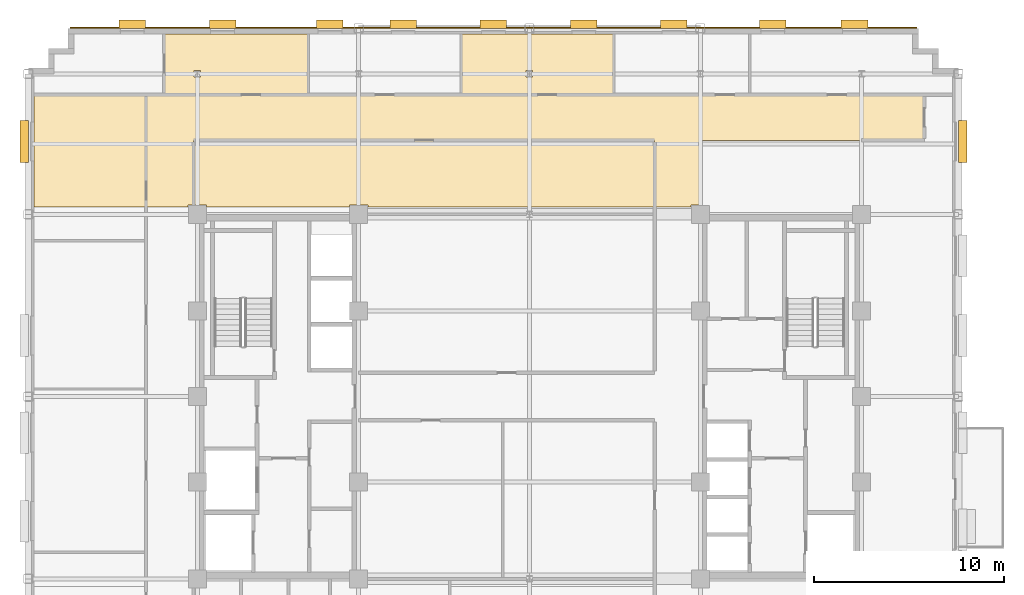
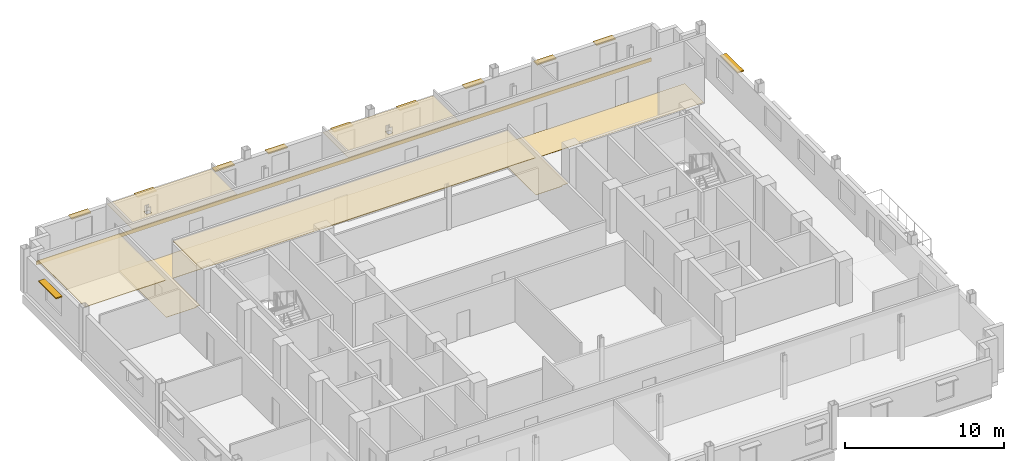
# One storey, part 15 of 15: 11 shading devices, 6 coverings.
"""IFC4 building model written with IfcOpenShell, lengths in metres."""

from ifc_helpers import new_model, si_unit, direction, frame, origin, origin_2d, place, context, subcontext, project, spatial, polyline, rectangle, outline, extrude, source, transform, mapped, material, layer, layer_set, type_object, type_shapes, element, save


model = new_model("IFC4")

# Units and contexts
model_context = context("Model", 3, precision=1e-05, world=origin(), true_north=direction((0.0, 1.0)))
body_context = subcontext(model_context, "Body", "Model", "MODEL_VIEW")
ifc_project = project(units=[si_unit("LENGTHUNIT", "METRE"), si_unit("AREAUNIT", "SQUARE_METRE"), si_unit("VOLUMEUNIT", "CUBIC_METRE"), si_unit("PLANEANGLEUNIT", "RADIAN"), si_unit("MASSUNIT", "GRAM", prefix="KILO")], contexts=[model_context])

# Site, building, storey
site_placement = place(None, origin())
site = spatial("IfcSite", under=ifc_project, at=site_placement, CompositionType="ELEMENT")
building_placement = place(site_placement, origin())
building = spatial("IfcBuilding", under=site, at=building_placement, Name="Nuvemarco Arch Tower", CompositionType="ELEMENT")
storey_placement = place(building_placement, frame((0.0, 0.0, 201.85009765625)))
storey = spatial("IfcBuildingStorey", under=building, at=storey_placement, Name="L53", CompositionType="ELEMENT", Elevation=201.85009765625)

# Coverings
ifc_material_1 = material(Name="Mineral acoustic ceiling tile")
ifc_layer_1 = layer(ifc_material_1, 0.0400390625, Name="COV-ACOUSTIC-CLG")
ifc_layer_set_1 = layer_set([ifc_layer_1], Name="Mineral acoustic ceiling tile")
covering_type_1 = type_object("IfcCoveringType", Name="COV-ACOUSTIC-CLG", PredefinedType="CEILING", material=ifc_layer_set_1)
covering_1_placement = place(storey_placement, frame((0.0, 0.0, 2.849853515625)))
element("IfcCovering", 1, at=covering_1_placement, inside=storey, type_object=covering_type_1, Name="L53 suspended acoustic ceiling 4", PredefinedType="CEILING", context=body_context, shape_type="SweptSolid", body=[
    extrude(outline(polyline([(6.60009765625, 13.5), (6.60009765625, 10.0), (-8.510009765625, 10.0), (-8.510009765625, 10.090087890625), (-9.489990234375, 10.090087890625), (-9.489990234375, 10.0), (-17.010009765625, 10.0), (-17.010009765625, 10.090087890625), (-17.699951171875, 10.090087890625), (-17.699951171875, 13.5), (6.60009765625, 13.5)])), origin(), (0.0, 0.0, 1.0), 0.0400390625),
])
covering_2_placement = place(storey_placement, frame((0.0, 0.0, 2.849853515625)))
element("IfcCovering", 2, at=covering_2_placement, inside=storey, type_object=covering_type_1, Name="L53 suspended acoustic ceiling 6", PredefinedType="CEILING", context=body_context, shape_type="SweptSolid", body=[
    extrude(outline(polyline([(-20.199951171875, 10.0), (-26.090087890625, 10.0), (-26.090087890625, 15.89990234375), (-20.199951171875, 15.89990234375), (-20.199951171875, 13.5), (-20.199951171875, 10.0)])), origin(), (0.0, 0.0, 1.0), 0.0400390625),
])
covering_3_placement = place(storey_placement, frame((0.0, 0.0, 2.849853515625)))
element("IfcCovering", 3, at=covering_3_placement, inside=storey, type_object=covering_type_1, Name="L53 suspended acoustic ceiling 8", PredefinedType="CEILING", context=body_context, shape_type="SweptSolid", body=[
    extrude(outline(polyline([(-3.60009765625, 15.89990234375), (-3.60009765625, 19.090087890625), (4.43994140625, 19.090087890625), (4.43994140625, 15.89990234375), (-3.60009765625, 15.89990234375)]), holes=[polyline([(0.169921875, 16.830078125), (0.169921875, 17.169921875), (-0.169921875, 17.169921875), (-0.169921875, 16.830078125), (0.169921875, 16.830078125)])]), origin(), (0.0, 0.0, 1.0), 0.0400390625),
])
covering_4_placement = place(storey_placement, frame((0.0, 0.0, 2.849853515625)))
element("IfcCovering", 4, at=covering_4_placement, inside=storey, type_object=covering_type_1, Name="L53 suspended acoustic ceiling 9", PredefinedType="CEILING", context=body_context, shape_type="SweptSolid", body=[
    extrude(outline(polyline([(-11.64990234375, 15.89990234375), (-17.699951171875, 15.89990234375), (-19.25, 15.89990234375), (-19.25, 19.090087890625), (-11.64990234375, 19.090087890625), (-11.64990234375, 15.89990234375)]), holes=[polyline([(-17.330078125, 16.830078125), (-17.330078125, 17.169921875), (-17.669921875, 17.169921875), (-17.669921875, 16.830078125), (-17.330078125, 16.830078125)])]), origin(), (0.0, 0.0, 1.0), 0.0400390625),
])
ifc_material_2 = material(Name="Polished granite terrazzostone flooring", Category="masonry")
ifc_layer_2 = layer(ifc_material_2, 0.02001953125, Name="COV-LOBBY-FLR")
ifc_layer_set_2 = layer_set([ifc_layer_2], Name="Polished granite terrazzostone flooring")
covering_type_2 = type_object("IfcCoveringType", Name="COV-LOBBY-FLR", PredefinedType="FLOORING", material=ifc_layer_set_2)
covering_5_placement = place(storey_placement, origin())
element("IfcCovering", 5, at=covering_5_placement, inside=storey, type_object=covering_type_2, Name="L53 polished terrazzo lobby flooring", PredefinedType="FLOORING", context=body_context, shape_type="SweptSolid", body=[
    extrude(outline(polyline([(-20.199951171875, 13.5), (-20.199951171875, 15.89990234375), (-17.699951171875, 15.89990234375), (6.60009765625, 15.89990234375), (9.0, 15.89990234375), (20.800048828125, 15.89990234375), (20.800048828125, 13.5), (9.0, 13.5), (9.0, 10.090087890625), (8.510009765625, 10.090087890625), (8.510009765625, 10.0), (6.60009765625, 10.0), (6.60009765625, 13.5), (-17.699951171875, 13.5), (-17.699951171875, 10.090087890625), (-17.989990234375, 10.090087890625), (-17.989990234375, 10.0), (-20.199951171875, 10.0), (-20.199951171875, 13.5)])), origin(), (0.0, 0.0, 1.0), 0.02001953125),
])

# Shading devices
ifc_material_3 = material(Name="Anodised aluminium 6063-T6", Category="aluminium")
shading_device_type_1 = type_object("IfcShadingDeviceType", Name="SHD-BRISE-SOLEIL", PredefinedType="USERDEFINED", material=ifc_material_3)
shared_shape_1 = source(origin(), body_context, "Body", "SweptSolid", [
    extrude(rectangle(XDim=2.199951171875, YDim=0.449951171875, at=origin_2d()), origin(), (0.0, 0.0, 1.0), 0.080078125),
])
type_shapes(shading_device_type_1, [shared_shape_1])
for number, where, z_axis, x_axis, name in (
    (6, (22.81494140625, 13.437744140625, 2.324951171875), (0.0, 0.0, 1.0), (0.0, 1.0, 0.0), "L53 horizontal brise-soleil sunshade"),
    (7, (-26.614990234375, 13.437744140625, 2.324951171875), (0.0, 0.0, 1.0), (0.0, 1.0, 0.0), "L53 horizontal brise-soleil sunshade"),
):
    element("IfcShadingDevice", number, at=place(storey_placement, frame(where, z_axis=z_axis, x_axis=x_axis)), inside=storey, type_object=shading_device_type_1, Name=name, ObjectType="SUNSHADE", PredefinedType="USERDEFINED", context=body_context, shape_type="MappedRepresentation", body=[
        mapped(shared_shape_1, transform((0.0, 0.0, 0.0), scale=1.0)),
    ])
shading_device_type_2 = type_object("IfcShadingDeviceType", Name="SHD-BRISE-NARROW", PredefinedType="USERDEFINED", material=ifc_material_3)
shared_shape_2 = source(origin(), body_context, "Body", "SweptSolid", [
    extrude(rectangle(XDim=1.39990234375, YDim=0.449951171875, at=origin_2d()), origin(), (0.0, 0.0, 1.0), 0.080078125),
])
type_shapes(shading_device_type_2, [shared_shape_2])
for number, where, z_axis, x_axis, name in (
    (8, (-20.922119140625, 19.614990234375, 2.324951171875), (0.0, 0.0, 1.0), (1.0, 0.0, 0.0), "L53 horizontal brise-soleil sunshade"),
    (9, (-16.166748046875, 19.614990234375, 2.324951171875), (0.0, 0.0, 1.0), (1.0, 0.0, 0.0), "L53 horizontal brise-soleil sunshade"),
    (10, (-10.510986328125, 19.614990234375, 2.324951171875), (0.0, 0.0, 1.0), (1.0, 0.0, 0.0), "L53 horizontal brise-soleil sunshade"),
    (11, (-6.655517578125, 19.614990234375, 2.324951171875), (0.0, 0.0, 1.0), (1.0, 0.0, 0.0), "L53 horizontal brise-soleil sunshade"),
    (12, (-1.89990234375, 19.614990234375, 2.324951171875), (0.0, 0.0, 1.0), (1.0, 0.0, 0.0), "L53 horizontal brise-soleil sunshade"),
    (13, (2.855712890625, 19.614990234375, 2.324951171875), (0.0, 0.0, 1.0), (1.0, 0.0, 0.0), "L53 horizontal brise-soleil sunshade"),
    (14, (7.611083984375, 19.614990234375, 2.324951171875), (0.0, 0.0, 1.0), (1.0, 0.0, 0.0), "L53 horizontal brise-soleil sunshade"),
    (15, (12.816650390625, 19.614990234375, 2.324951171875), (0.0, 0.0, 1.0), (1.0, 0.0, 0.0), "L53 horizontal brise-soleil sunshade"),
    (16, (17.122314453125, 19.614990234375, 2.324951171875), (0.0, 0.0, 1.0), (1.0, 0.0, 0.0), "L53 horizontal brise-soleil sunshade"),
):
    element("IfcShadingDevice", number, at=place(storey_placement, frame(where, z_axis=z_axis, x_axis=x_axis)), inside=storey, type_object=shading_device_type_2, Name=name, ObjectType="SUNSHADE", PredefinedType="USERDEFINED", context=body_context, shape_type="MappedRepresentation", body=[
        mapped(shared_shape_2, transform((0.0, 0.0, 0.0), scale=1.0)),
    ])

# Covering
ifc_material_4 = material(Name="Precast concrete C45/55", Category="concrete")
ifc_layer_3 = layer(ifc_material_4, 0.06005859375, Name="COV-SPANDREL-CLAD")
ifc_layer_set_3 = layer_set([ifc_layer_3], Name="Precast concrete C45/55")
covering_type_3 = type_object("IfcCoveringType", Name="COV-SPANDREL-CLAD", PredefinedType="CLADDING", material=ifc_layer_set_3)
shared_shape_3 = source(origin(), body_context, "Body", "SweptSolid", [
    extrude(rectangle(XDim=44.60009765625, YDim=0.06005859375, at=origin_2d()), origin(), (0.0, 0.0, 1.0), 0.280029296875),
])
type_shapes(covering_type_3, [shared_shape_3])
covering_6_placement = place(storey_placement, frame((-1.89990234375, 19.428955078125, -0.2802734375), z_axis=(0.0, 0.0, 1.0), x_axis=(1.0, 0.0, 0.0)))
element("IfcCovering", 17, at=covering_6_placement, inside=storey, type_object=covering_type_3, Name="L53 precast spandrel edge cladding north", PredefinedType="CLADDING", context=body_context, shape_type="MappedRepresentation", body=[
    mapped(shared_shape_3, transform((0.0, 0.0, 0.0), scale=1.0)),
])

save(model, "model.ifc")
